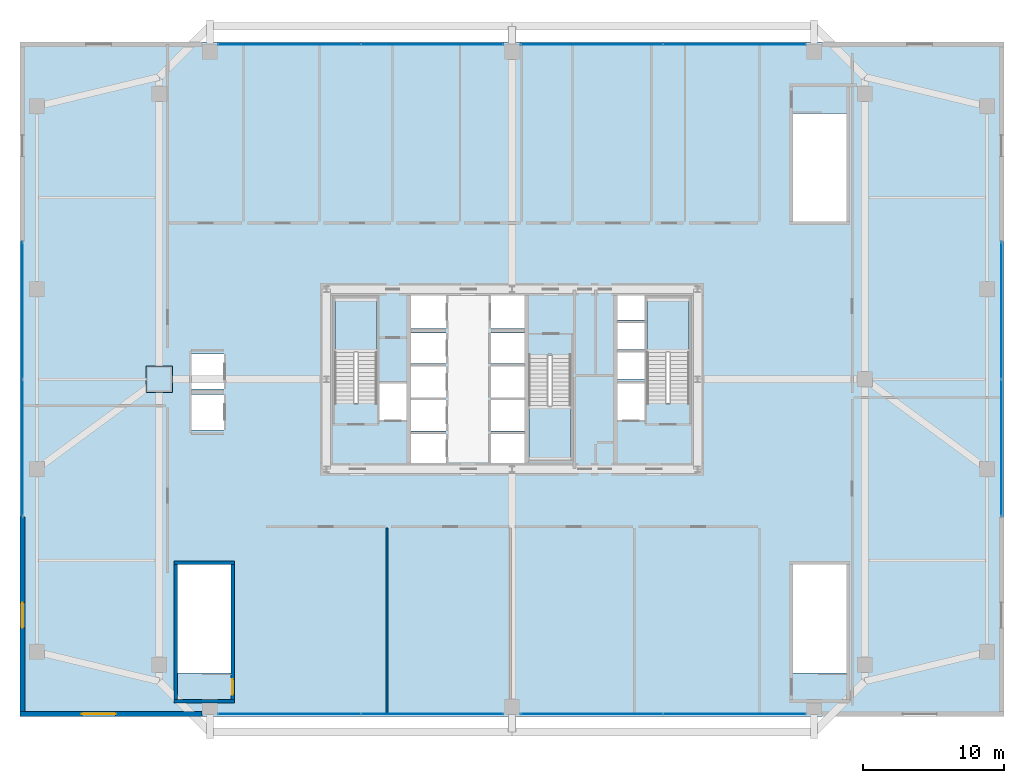
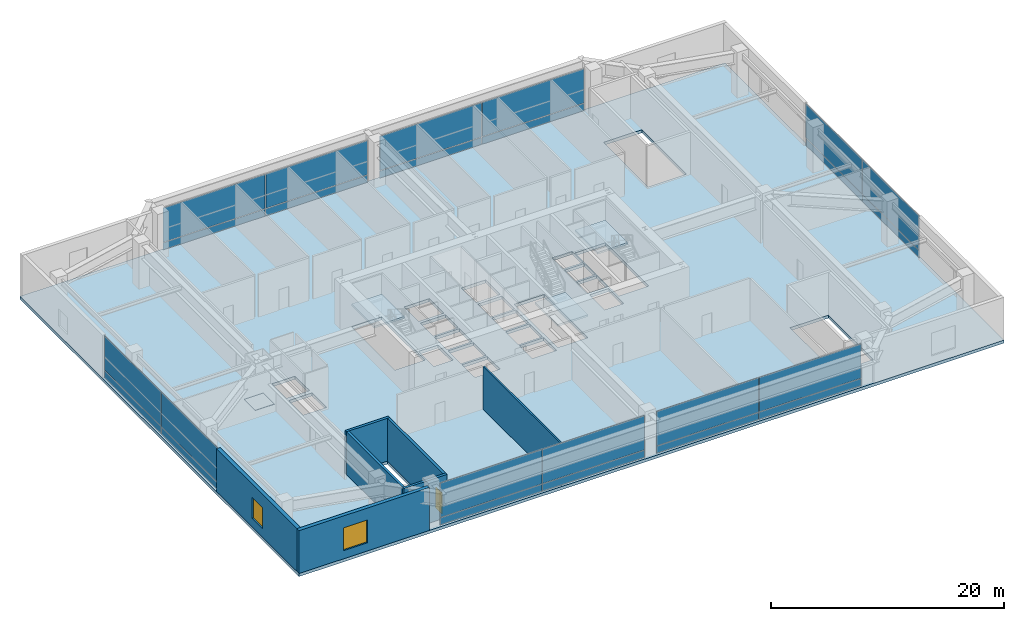
# One storey, part 28 of 34: 25 plates, 7 walls, 4 slabs, 2 windows, 1 door, 3 openings, 9 elements without a shape of their own.
"""IFC4 building model written with IfcOpenShell, lengths in metres."""

from ifc_helpers import new_model, si_unit, direction, frame, frame_2d, origin, origin_2d, place, context, subcontext, project, spatial, polyline, rectangle, outline, extrude, source, transform, mapped, material, layer, layer_set, type_object, element, fill, aggregate, save


model = new_model("IFC4")

# Units and contexts
model_context = context("Model", 3, precision=1e-05, world=origin(), true_north=direction((0.0, 1.0)))
body_context = subcontext(model_context, "Body", "Model", "MODEL_VIEW")
ifc_project = project(units=[si_unit("LENGTHUNIT", "METRE"), si_unit("AREAUNIT", "SQUARE_METRE"), si_unit("VOLUMEUNIT", "CUBIC_METRE"), si_unit("PLANEANGLEUNIT", "RADIAN"), si_unit("MASSUNIT", "GRAM", prefix="KILO"), si_unit("THERMODYNAMICTEMPERATUREUNIT", "KELVIN"), si_unit("POWERUNIT", "WATT")], contexts=[model_context])

# Site, building, storey
site_placement = place(None, origin())
site = spatial("IfcSite", under=ifc_project, at=site_placement, CompositionType="ELEMENT")
building_placement = place(site_placement, origin())
building = spatial("IfcBuilding", under=site, at=building_placement, Name="Yuzanri Waterfront Tower", CompositionType="ELEMENT")
storey_placement = place(building_placement, frame((0.0, 0.0, 25.800048828125)))
storey = spatial("IfcBuildingStorey", under=building, at=storey_placement, Name="L06", CompositionType="ELEMENT", Elevation=25.800048828125)

# Stair, slab
ifc_material_1 = material(Name="Concrete C40", Category="concrete")
stair_type = type_object("IfcStairType", Name="Concrete C40 Core Dogleg Exit Stair", PredefinedType="HALF_TURN_STAIR", material=ifc_material_1)
stair_1_placement = place(storey_placement, origin())
stair_1 = element("IfcStair", 1, at=stair_1_placement, inside=storey, type_object=stair_type, Name="L06 Smoke-Proof Core Stair ST-01", PredefinedType="HALF_TURN_STAIR")
ifc_material_2 = material(Name="Concrete C40", Category="concrete")
ifc_layer_1 = layer(ifc_material_2, 0.179931640625)
ifc_layer_set_1 = layer_set([ifc_layer_1], Name="Concrete C40")
slab_type_1 = type_object("IfcSlabType", Name="Concrete C40 Stair Half-Landing Slab 180", PredefinedType="LANDING", material=ifc_layer_set_1)
slab_1_placement = place(storey_placement, frame((0.0, 0.0, 2.199951171875)))
slab_1 = element("IfcSlab", 2, at=slab_1_placement, type_object=slab_type_1, Name="ST-01 landing 1", PredefinedType="LANDING", context=body_context, shape_type="SweptSolid", body=[
    extrude(outline(polyline([(27.39990234375, 27.679931640625), (27.39990234375, 31.580078125), (24.39990234375, 31.580078125), (24.39990234375, 27.679931640625), (27.39990234375, 27.679931640625)])), origin(), (0.0, 0.0, 1.0), 0.199951171875),
])
aggregate(stair_1, [slab_1])

stair_2_placement = place(storey_placement, origin())
stair_2 = element("IfcStair", 3, at=stair_2_placement, inside=storey, type_object=stair_type, Name="L06 Smoke-Proof Core Stair ST-02", PredefinedType="HALF_TURN_STAIR")
slab_2_placement = place(storey_placement, frame((0.0, 0.0, 2.199951171875)))
slab_2 = element("IfcSlab", 4, at=slab_2_placement, type_object=slab_type_1, Name="ST-02 landing 1", PredefinedType="LANDING", context=body_context, shape_type="SweptSolid", body=[
    extrude(outline(polyline([(49.60009765625, 27.679931640625), (49.60009765625, 31.580078125), (46.60009765625, 31.580078125), (46.60009765625, 27.679931640625), (49.60009765625, 27.679931640625)])), origin(), (0.0, 0.0, 1.0), 0.199951171875),
])
aggregate(stair_2, [slab_2])

stair_3_placement = place(storey_placement, origin())
stair_3 = element("IfcStair", 5, at=stair_3_placement, inside=storey, type_object=stair_type, Name="L06 Smoke-Proof Core Stair ST-03", PredefinedType="HALF_TURN_STAIR")
slab_3_placement = place(storey_placement, frame((0.0, 0.0, 2.199951171875)))
slab_3 = element("IfcSlab", 6, at=slab_3_placement, type_object=slab_type_1, Name="ST-03 landing 1", PredefinedType="LANDING", context=body_context, shape_type="SweptSolid", body=[
    extrude(outline(polyline([(38.199951171875, 23.919921875), (38.199951171875, 20.02001953125), (41.199951171875, 20.02001953125), (41.199951171875, 23.919921875), (38.199951171875, 23.919921875)])), origin(), (0.0, 0.0, 1.0), 0.199951171875),
])
aggregate(stair_3, [slab_3])

# Slab
ifc_material_3 = material(Name="Concrete C45", Category="concrete")
ifc_layer_2 = layer(ifc_material_3, 0.320068359375)
ifc_layer_set_2 = layer_set([ifc_layer_2], Name="Concrete C45")
slab_type_2 = type_object("IfcSlabType", Name="Concrete C45 Ballroom Transfer Structural Floor Slab 320", PredefinedType="FLOOR", material=ifc_layer_set_2)
slab_4_placement = place(storey_placement, frame((0.0, 0.0, -0.320068359375)))
element("IfcSlab", 7, at=slab_4_placement, inside=storey, type_object=slab_type_2, Name="L06 Main Structural Floor Slab", PredefinedType="FLOOR", context=body_context, shape_type="SweptSolid", body=[
    extrude(outline(polyline([(2.0, 1.800048828125), (72.0, 1.800048828125), (72.0, 49.800048828125), (2.0, 49.800048828125), (2.0, 1.800048828125)]), holes=[polyline([(27.39990234375, 24.10009765625), (27.39990234375, 31.580078125), (24.39990234375, 31.580078125), (24.39990234375, 24.10009765625), (27.39990234375, 24.10009765625)]), polyline([(49.60009765625, 24.10009765625), (49.60009765625, 31.580078125), (46.60009765625, 31.580078125), (46.60009765625, 24.10009765625), (49.60009765625, 24.10009765625)]), polyline([(38.199951171875, 27.5), (38.199951171875, 20.02001953125), (41.199951171875, 20.02001953125), (41.199951171875, 27.5), (38.199951171875, 27.5)]), polyline([(17.0, 4.909912109375), (17.0, 12.60009765625), (13.199951171875, 12.60009765625), (13.199951171875, 4.909912109375), (17.0, 4.909912109375)]), polyline([(60.800048828125, 4.909912109375), (60.800048828125, 12.60009765625), (57.0, 12.60009765625), (57.0, 4.909912109375), (60.800048828125, 4.909912109375)]), polyline([(57.0, 44.68994140625), (57.0, 37.0), (60.800048828125, 37.0), (60.800048828125, 44.68994140625), (57.0, 44.68994140625)]), polyline([(27.56005859375, 22.89990234375), (29.47998046875, 22.89990234375), (29.47998046875, 25.5), (27.56005859375, 25.5), (27.56005859375, 22.89990234375)]), polyline([(44.52001953125, 22.89990234375), (46.43994140625, 22.89990234375), (46.43994140625, 25.5), (44.52001953125, 25.5), (44.52001953125, 22.89990234375)]), polyline([(29.800048828125, 19.699951171875), (32.300048828125, 19.699951171875), (32.300048828125, 21.89990234375), (29.800048828125, 21.89990234375), (29.800048828125, 19.699951171875)]), polyline([(29.800048828125, 22.10009765625), (32.300048828125, 22.10009765625), (32.300048828125, 24.300048828125), (29.800048828125, 24.300048828125), (29.800048828125, 22.10009765625)]), polyline([(29.800048828125, 24.5), (32.300048828125, 24.5), (32.300048828125, 26.699951171875), (29.800048828125, 26.699951171875), (29.800048828125, 24.5)]), polyline([(29.800048828125, 26.89990234375), (32.300048828125, 26.89990234375), (32.300048828125, 29.10009765625), (29.800048828125, 29.10009765625), (29.800048828125, 26.89990234375)]), polyline([(29.800048828125, 29.39990234375), (32.300048828125, 29.39990234375), (32.300048828125, 31.89990234375), (29.800048828125, 31.89990234375), (29.800048828125, 29.39990234375)]), polyline([(35.5, 19.699951171875), (37.89990234375, 19.699951171875), (37.89990234375, 21.89990234375), (35.5, 21.89990234375), (35.5, 19.699951171875)]), polyline([(35.5, 22.10009765625), (37.89990234375, 22.10009765625), (37.89990234375, 24.300048828125), (35.5, 24.300048828125), (35.5, 22.10009765625)]), polyline([(35.5, 24.5), (37.89990234375, 24.5), (37.89990234375, 26.699951171875), (35.5, 26.699951171875), (35.5, 24.5)]), polyline([(35.5, 26.89990234375), (37.89990234375, 26.89990234375), (37.89990234375, 29.10009765625), (35.5, 29.10009765625), (35.5, 26.89990234375)]), polyline([(35.5, 29.39990234375), (37.89990234375, 29.39990234375), (37.89990234375, 31.89990234375), (35.5, 31.89990234375), (35.5, 29.39990234375)]), polyline([(44.5, 25.800048828125), (46.5, 25.800048828125), (46.5, 27.699951171875), (44.5, 27.699951171875), (44.5, 25.800048828125)]), polyline([(44.5, 27.89990234375), (46.5, 27.89990234375), (46.5, 29.800048828125), (44.5, 29.800048828125), (44.5, 27.89990234375)]), polyline([(44.5, 30.0), (46.5, 30.0), (46.5, 31.89990234375), (44.5, 31.89990234375), (44.5, 30.0)]), polyline([(14.199951171875, 22.199951171875), (16.5, 22.199951171875), (16.5, 24.699951171875), (14.199951171875, 24.699951171875), (14.199951171875, 22.199951171875)]), polyline([(14.199951171875, 25.10009765625), (16.5, 25.10009765625), (16.5, 27.60009765625), (14.199951171875, 27.60009765625), (14.199951171875, 25.10009765625)])]), origin(), (0.0, 0.0, 1.0), 0.320068359375),
])

# Plate
ifc_material_4 = material(Name="Steel Q420GJC", Category="steel")
ifc_layer_3 = layer(ifc_material_4, 0.044921875)
ifc_layer_set_3 = layer_set([ifc_layer_3], Name="Steel Q420GJC")
plate_type_1 = type_object("IfcPlateType", Name="Steel Q420GJC Setback Column-Transfer Diaphragm Cap Plate 45", PredefinedType="SHEET", material=ifc_layer_set_3)
shared_shape_1 = source(origin(), body_context, "Body", "SweptSolid", [
    extrude(rectangle(XDim=1.89990234375, YDim=1.89990234375, at=origin_2d()), origin(), (0.0, 0.0, 1.0), 0.044921875),
])
plate_1_placement = place(storey_placement, frame((11.89990234375, 25.800048828125, -0.0224609375), z_axis=(0.0, 0.0, 1.0), x_axis=(1.0, 0.0, 0.0)))
element("IfcPlate", 8, at=plate_1_placement, inside=storey, type_object=plate_type_1, Name="L06 PTW2 Base Diaphragm Plate", PredefinedType="SHEET", context=body_context, shape_type="MappedRepresentation", body=[
    mapped(shared_shape_1, transform((0.0, 0.0, 0.0), scale=1.0)),
])

# Curtain wall, plates
ifc_material_5 = material(Name="Anodized Architectural Bronze", Category="metal")
ifc_layer_4 = layer(ifc_material_5, 0.159912109375)
ifc_layer_set_4 = layer_set([ifc_layer_4], Name="Anodized Architectural Bronze")
curtain_wall_type = type_object("IfcCurtainWallType", Name="Anodized Bronze Podium Waterfront Double-Height Unitized Curtain Wall 8400", PredefinedType="NOTDEFINED", material=ifc_layer_set_4)
curtain_wall_1_placement = place(storey_placement, origin())
curtain_wall_1 = element("IfcCurtainWall", 9, at=curtain_wall_1_placement, inside=storey, type_object=curtain_wall_type, Name="L06 Curtain Wall CW-L06-W", PredefinedType="NOTDEFINED")
ifc_material_6 = material(Name="Anodized Architectural Bronze", Category="metal")
ifc_layer_5 = layer(ifc_material_6, 0.028076171875)
ifc_layer_set_5 = layer_set([ifc_layer_5], Name="Anodized Architectural Bronze")
plate_type_2 = type_object("IfcPlateType", Name="Bronze Insulated Spandrel Shadow-Box Panel 28", PredefinedType="CURTAIN_PANEL", material=ifc_layer_set_5)
shared_shape_2 = source(origin(), body_context, "Body", "SweptSolid", [
    extrude(rectangle(XDim=9.719970703125, YDim=0.028076171875, at=origin_2d()), origin(), (0.0, 0.0, 1.0), 0.739990234375),
])
plate_2_placement = place(storey_placement, frame((2.179931640625, 20.89990234375, 0.0498046875), z_axis=(0.0, 0.0, 1.0), x_axis=(0.0, 1.0, 0.0)))
plate_2 = element("IfcPlate", 10, at=plate_2_placement, type_object=plate_type_2, Name="CW-L06-W Spandrel Panel 01", PredefinedType="CURTAIN_PANEL", context=body_context, shape_type="MappedRepresentation", body=[
    mapped(shared_shape_2, transform((0.0, 0.0, 0.0), scale=1.0)),
])
plate_3_placement = place(storey_placement, frame((2.179931640625, 30.699951171875, 0.0498046875), z_axis=(0.0, 0.0, 1.0), x_axis=(0.0, 1.0, 0.0)))
plate_3 = element("IfcPlate", 11, at=plate_3_placement, type_object=plate_type_2, Name="CW-L06-W Spandrel Panel 02", PredefinedType="CURTAIN_PANEL", context=body_context, shape_type="MappedRepresentation", body=[
    mapped(shared_shape_2, transform((0.0, 0.0, 0.0), scale=1.0)),
])

curtain_wall_2_placement = place(storey_placement, origin())
curtain_wall_2 = element("IfcCurtainWall", 12, at=curtain_wall_2_placement, inside=storey, type_object=curtain_wall_type, Name="L06 Curtain Wall CW-L06-E", PredefinedType="NOTDEFINED")
plate_4_placement = place(storey_placement, frame((71.820068359375, 20.89990234375, 0.0498046875), z_axis=(0.0, 0.0, 1.0), x_axis=(0.0, 1.0, 0.0)))
plate_4 = element("IfcPlate", 13, at=plate_4_placement, type_object=plate_type_2, Name="CW-L06-E Spandrel Panel 01", PredefinedType="CURTAIN_PANEL", context=body_context, shape_type="MappedRepresentation", body=[
    mapped(shared_shape_2, transform((0.0, 0.0, 0.0), scale=1.0)),
])
plate_5_placement = place(storey_placement, frame((71.820068359375, 30.699951171875, 0.0498046875), z_axis=(0.0, 0.0, 1.0), x_axis=(0.0, 1.0, 0.0)))
plate_5 = element("IfcPlate", 14, at=plate_5_placement, type_object=plate_type_2, Name="CW-L06-E Spandrel Panel 02", PredefinedType="CURTAIN_PANEL", context=body_context, shape_type="MappedRepresentation", body=[
    mapped(shared_shape_2, transform((0.0, 0.0, 0.0), scale=1.0)),
])

curtain_wall_3_placement = place(storey_placement, origin())
curtain_wall_3 = element("IfcCurtainWall", 15, at=curtain_wall_3_placement, inside=storey, type_object=curtain_wall_type, Name="L06 Curtain Wall CW-L06-S1", PredefinedType="NOTDEFINED")
shared_shape_3 = source(origin(), body_context, "Body", "SweptSolid", [
    extrude(rectangle(XDim=10.10009765625, YDim=0.028076171875, at=origin_2d()), origin(), (0.0, 0.0, 1.0), 0.739990234375),
])
plate_6_placement = place(storey_placement, frame((21.159912109375, 1.97998046875, 0.0498046875), z_axis=(0.0, 0.0, 1.0), x_axis=(1.0, 0.0, 0.0)))
plate_6 = element("IfcPlate", 16, at=plate_6_placement, type_object=plate_type_2, Name="CW-L06-S1 Spandrel Panel 01", PredefinedType="CURTAIN_PANEL", context=body_context, shape_type="MappedRepresentation", body=[
    mapped(shared_shape_3, transform((0.0, 0.0, 0.0), scale=1.0)),
])
plate_7_placement = place(storey_placement, frame((31.340087890625, 1.97998046875, 0.0498046875), z_axis=(0.0, 0.0, 1.0), x_axis=(1.0, 0.0, 0.0)))
plate_7 = element("IfcPlate", 17, at=plate_7_placement, type_object=plate_type_2, Name="CW-L06-S1 Spandrel Panel 02", PredefinedType="CURTAIN_PANEL", context=body_context, shape_type="MappedRepresentation", body=[
    mapped(shared_shape_3, transform((0.0, 0.0, 0.0), scale=1.0)),
])

curtain_wall_4_placement = place(storey_placement, origin())
curtain_wall_4 = element("IfcCurtainWall", 18, at=curtain_wall_4_placement, inside=storey, type_object=curtain_wall_type, Name="L06 Curtain Wall CW-L06-S2", PredefinedType="NOTDEFINED")
plate_8_placement = place(storey_placement, frame((42.659912109375, 1.97998046875, 0.0498046875), z_axis=(0.0, 0.0, 1.0), x_axis=(1.0, 0.0, 0.0)))
plate_8 = element("IfcPlate", 19, at=plate_8_placement, type_object=plate_type_2, Name="CW-L06-S2 Spandrel Panel 01", PredefinedType="CURTAIN_PANEL", context=body_context, shape_type="MappedRepresentation", body=[
    mapped(shared_shape_3, transform((0.0, 0.0, 0.0), scale=1.0)),
])
plate_9_placement = place(storey_placement, frame((52.840087890625, 1.97998046875, 0.0498046875), z_axis=(0.0, 0.0, 1.0), x_axis=(1.0, 0.0, 0.0)))
plate_9 = element("IfcPlate", 20, at=plate_9_placement, type_object=plate_type_2, Name="CW-L06-S2 Spandrel Panel 02", PredefinedType="CURTAIN_PANEL", context=body_context, shape_type="MappedRepresentation", body=[
    mapped(shared_shape_3, transform((0.0, 0.0, 0.0), scale=1.0)),
])

curtain_wall_5_placement = place(storey_placement, origin())
curtain_wall_5 = element("IfcCurtainWall", 21, at=curtain_wall_5_placement, inside=storey, type_object=curtain_wall_type, Name="L06 Curtain Wall CW-L06-N1", PredefinedType="NOTDEFINED")
plate_10_placement = place(storey_placement, frame((21.159912109375, 49.6201171875, 0.0498046875), z_axis=(0.0, 0.0, 1.0), x_axis=(1.0, 0.0, 0.0)))
plate_10 = element("IfcPlate", 22, at=plate_10_placement, type_object=plate_type_2, Name="CW-L06-N1 Spandrel Panel 01", PredefinedType="CURTAIN_PANEL", context=body_context, shape_type="MappedRepresentation", body=[
    mapped(shared_shape_3, transform((0.0, 0.0, 0.0), scale=1.0)),
])
plate_11_placement = place(storey_placement, frame((31.340087890625, 49.6201171875, 0.0498046875), z_axis=(0.0, 0.0, 1.0), x_axis=(1.0, 0.0, 0.0)))
plate_11 = element("IfcPlate", 23, at=plate_11_placement, type_object=plate_type_2, Name="CW-L06-N1 Spandrel Panel 02", PredefinedType="CURTAIN_PANEL", context=body_context, shape_type="MappedRepresentation", body=[
    mapped(shared_shape_3, transform((0.0, 0.0, 0.0), scale=1.0)),
])

curtain_wall_6_placement = place(storey_placement, origin())
curtain_wall_6 = element("IfcCurtainWall", 24, at=curtain_wall_6_placement, inside=storey, type_object=curtain_wall_type, Name="L06 Curtain Wall CW-L06-N2", PredefinedType="NOTDEFINED")
plate_12_placement = place(storey_placement, frame((42.659912109375, 49.6201171875, 0.0498046875), z_axis=(0.0, 0.0, 1.0), x_axis=(1.0, 0.0, 0.0)))
plate_12 = element("IfcPlate", 25, at=plate_12_placement, type_object=plate_type_2, Name="CW-L06-N2 Spandrel Panel 01", PredefinedType="CURTAIN_PANEL", context=body_context, shape_type="MappedRepresentation", body=[
    mapped(shared_shape_3, transform((0.0, 0.0, 0.0), scale=1.0)),
])
plate_13_placement = place(storey_placement, frame((52.840087890625, 49.6201171875, 0.0498046875), z_axis=(0.0, 0.0, 1.0), x_axis=(1.0, 0.0, 0.0)))
plate_13 = element("IfcPlate", 26, at=plate_13_placement, type_object=plate_type_2, Name="CW-L06-N2 Spandrel Panel 02", PredefinedType="CURTAIN_PANEL", context=body_context, shape_type="MappedRepresentation", body=[
    mapped(shared_shape_3, transform((0.0, 0.0, 0.0), scale=1.0)),
])

# Plate
ifc_material_7 = material(Name="Double-Silver Low-E Insulated Glass", Category="glass")
ifc_layer_6 = layer(ifc_material_7, 0.035888671875)
ifc_layer_set_6 = layer_set([ifc_layer_6], Name="Double-Silver Low-E Insulated Glass")
plate_type_3 = type_object("IfcPlateType", Name="Double Silver Low-E Insulated Vision Glass Panel 36", PredefinedType="CURTAIN_PANEL", material=ifc_layer_set_6)
shared_shape_4 = source(origin(), body_context, "Body", "SweptSolid", [
    extrude(rectangle(XDim=10.10009765625, YDim=0.035888671875, at=origin_2d()), origin(), (0.0, 0.0, 1.0), 3.60009765625),
])
plate_14_placement = place(storey_placement, frame((21.159912109375, 1.97998046875, 0.849853515625), z_axis=(0.0, 0.0, 1.0), x_axis=(1.0, 0.0, 0.0)))
plate_14 = element("IfcPlate", 27, at=plate_14_placement, type_object=plate_type_3, Name="CW-L06-S1 Vision Glass Panel 01", PredefinedType="CURTAIN_PANEL", context=body_context, shape_type="MappedRepresentation", body=[
    mapped(shared_shape_4, transform((0.0, 0.0, 0.0), scale=1.0)),
])

plate_15_placement = place(storey_placement, frame((31.340087890625, 1.97998046875, 0.849853515625), z_axis=(0.0, 0.0, 1.0), x_axis=(1.0, 0.0, 0.0)))
plate_15 = element("IfcPlate", 28, at=plate_15_placement, type_object=plate_type_3, Name="CW-L06-S1 Vision Glass Panel 02", PredefinedType="CURTAIN_PANEL", context=body_context, shape_type="MappedRepresentation", body=[
    mapped(shared_shape_4, transform((0.0, 0.0, 0.0), scale=1.0)),
])

aggregate(curtain_wall_3, [plate_6, plate_14, plate_7, plate_15])

plate_16_placement = place(storey_placement, frame((42.659912109375, 1.97998046875, 0.849853515625), z_axis=(0.0, 0.0, 1.0), x_axis=(1.0, 0.0, 0.0)))
plate_16 = element("IfcPlate", 29, at=plate_16_placement, type_object=plate_type_3, Name="CW-L06-S2 Vision Glass Panel 01", PredefinedType="CURTAIN_PANEL", context=body_context, shape_type="MappedRepresentation", body=[
    mapped(shared_shape_4, transform((0.0, 0.0, 0.0), scale=1.0)),
])

plate_17_placement = place(storey_placement, frame((52.840087890625, 1.97998046875, 0.849853515625), z_axis=(0.0, 0.0, 1.0), x_axis=(1.0, 0.0, 0.0)))
plate_17 = element("IfcPlate", 30, at=plate_17_placement, type_object=plate_type_3, Name="CW-L06-S2 Vision Glass Panel 02", PredefinedType="CURTAIN_PANEL", context=body_context, shape_type="MappedRepresentation", body=[
    mapped(shared_shape_4, transform((0.0, 0.0, 0.0), scale=1.0)),
])

aggregate(curtain_wall_4, [plate_8, plate_16, plate_9, plate_17])

plate_18_placement = place(storey_placement, frame((21.159912109375, 49.6201171875, 0.849853515625), z_axis=(0.0, 0.0, 1.0), x_axis=(1.0, 0.0, 0.0)))
plate_18 = element("IfcPlate", 31, at=plate_18_placement, type_object=plate_type_3, Name="CW-L06-N1 Vision Glass Panel 01", PredefinedType="CURTAIN_PANEL", context=body_context, shape_type="MappedRepresentation", body=[
    mapped(shared_shape_4, transform((0.0, 0.0, 0.0), scale=1.0)),
])

plate_19_placement = place(storey_placement, frame((31.340087890625, 49.6201171875, 0.849853515625), z_axis=(0.0, 0.0, 1.0), x_axis=(1.0, 0.0, 0.0)))
plate_19 = element("IfcPlate", 32, at=plate_19_placement, type_object=plate_type_3, Name="CW-L06-N1 Vision Glass Panel 02", PredefinedType="CURTAIN_PANEL", context=body_context, shape_type="MappedRepresentation", body=[
    mapped(shared_shape_4, transform((0.0, 0.0, 0.0), scale=1.0)),
])

aggregate(curtain_wall_5, [plate_10, plate_18, plate_11, plate_19])

plate_20_placement = place(storey_placement, frame((42.659912109375, 49.6201171875, 0.849853515625), z_axis=(0.0, 0.0, 1.0), x_axis=(1.0, 0.0, 0.0)))
plate_20 = element("IfcPlate", 33, at=plate_20_placement, type_object=plate_type_3, Name="CW-L06-N2 Vision Glass Panel 01", PredefinedType="CURTAIN_PANEL", context=body_context, shape_type="MappedRepresentation", body=[
    mapped(shared_shape_4, transform((0.0, 0.0, 0.0), scale=1.0)),
])

plate_21_placement = place(storey_placement, frame((52.840087890625, 49.6201171875, 0.849853515625), z_axis=(0.0, 0.0, 1.0), x_axis=(1.0, 0.0, 0.0)))
plate_21 = element("IfcPlate", 34, at=plate_21_placement, type_object=plate_type_3, Name="CW-L06-N2 Vision Glass Panel 02", PredefinedType="CURTAIN_PANEL", context=body_context, shape_type="MappedRepresentation", body=[
    mapped(shared_shape_4, transform((0.0, 0.0, 0.0), scale=1.0)),
])

aggregate(curtain_wall_6, [plate_12, plate_20, plate_13, plate_21])

shared_shape_5 = source(origin(), body_context, "Body", "SweptSolid", [
    extrude(rectangle(XDim=9.719970703125, YDim=0.035888671875, at=origin_2d()), origin(), (0.0, 0.0, 1.0), 3.60009765625),
])
plate_22_placement = place(storey_placement, frame((2.179931640625, 20.89990234375, 0.849853515625), z_axis=(0.0, 0.0, 1.0), x_axis=(0.0, 1.0, 0.0)))
plate_22 = element("IfcPlate", 35, at=plate_22_placement, type_object=plate_type_3, Name="CW-L06-W Vision Glass Panel 01", PredefinedType="CURTAIN_PANEL", context=body_context, shape_type="MappedRepresentation", body=[
    mapped(shared_shape_5, transform((0.0, 0.0, 0.0), scale=1.0)),
])

plate_23_placement = place(storey_placement, frame((2.179931640625, 30.699951171875, 0.849853515625), z_axis=(0.0, 0.0, 1.0), x_axis=(0.0, 1.0, 0.0)))
plate_23 = element("IfcPlate", 36, at=plate_23_placement, type_object=plate_type_3, Name="CW-L06-W Vision Glass Panel 02", PredefinedType="CURTAIN_PANEL", context=body_context, shape_type="MappedRepresentation", body=[
    mapped(shared_shape_5, transform((0.0, 0.0, 0.0), scale=1.0)),
])

aggregate(curtain_wall_1, [plate_2, plate_22, plate_3, plate_23])

plate_24_placement = place(storey_placement, frame((71.820068359375, 20.89990234375, 0.849853515625), z_axis=(0.0, 0.0, 1.0), x_axis=(0.0, 1.0, 0.0)))
plate_24 = element("IfcPlate", 37, at=plate_24_placement, type_object=plate_type_3, Name="CW-L06-E Vision Glass Panel 01", PredefinedType="CURTAIN_PANEL", context=body_context, shape_type="MappedRepresentation", body=[
    mapped(shared_shape_5, transform((0.0, 0.0, 0.0), scale=1.0)),
])

plate_25_placement = place(storey_placement, frame((71.820068359375, 30.699951171875, 0.849853515625), z_axis=(0.0, 0.0, 1.0), x_axis=(0.0, 1.0, 0.0)))
plate_25 = element("IfcPlate", 38, at=plate_25_placement, type_object=plate_type_3, Name="CW-L06-E Vision Glass Panel 02", PredefinedType="CURTAIN_PANEL", context=body_context, shape_type="MappedRepresentation", body=[
    mapped(shared_shape_5, transform((0.0, 0.0, 0.0), scale=1.0)),
])

aggregate(curtain_wall_2, [plate_4, plate_24, plate_5, plate_25])

# Wall, opening, window
ifc_material_8 = material(Name="Honed Chongqing Dark Basalt Stone", Category="masonry")
ifc_layer_7 = layer(ifc_material_8, 0.360107421875)
ifc_layer_set_7 = layer_set([ifc_layer_7], Name="Honed Chongqing Dark Basalt Stone")
wall_type_1 = type_object("IfcWallType", Name="Honed Basalt Stone Masonry-Frame Spandrel Wall 360", PredefinedType="SOLIDWALL", material=ifc_layer_set_7)
wall_1_placement = place(storey_placement, frame((2.0, 1.97998046875, 0.0), z_axis=(0.0, 0.0, 1.0), x_axis=(1.0, 0.0, 0.0)))
wall_1 = element("IfcWall", 39, at=wall_1_placement, inside=storey, type_object=wall_type_1, Name="L06 South-West Basalt Pier", PredefinedType="SOLIDWALL", context=body_context, shape_type="SweptSolid", body=[
    extrude(rectangle(XDim=12.929931640625, YDim=0.360107421875, at=frame_2d((6.46484375, 0.0))), origin(), (0.0, 0.0, 1.0), 4.5),
])
opening_1_placement = place(wall_1_placement, frame((4.39990234375, 0.0, 0.85009765625)))
opening_1 = element("IfcOpeningElement", 40, at=opening_1_placement, cuts=wall_1, Name="Opening WN-03", PredefinedType="OPENING", context=body_context, shape_type="SweptSolid", body=[
    extrude(rectangle(XDim=2.39990234375, YDim=2.39990234375, at=frame_2d((1.199951171875, 1.199951171875))), frame((0.0, 0.19482421875, 0.0), z_axis=(0.0, -1.0, 0.0), x_axis=(1.0, 0.0, 0.0)), (0.0, 0.0, 1.0), 0.389892578125),
])
ifc_material_9 = material(Name="Double-Silver Low-E Insulated Glass", Category="glass")
window_type_1 = type_object("IfcWindowType", Name="Anodized Bronze Podium Waterfront Picture Window 2400x2400", PartitioningType="SINGLE_PANEL", PredefinedType="WINDOW", material=ifc_material_9)
shared_shape_6 = source(origin(), body_context, "Body", "SweptSolid", [
    extrude(rectangle(XDim=2.39990234375, YDim=2.39990234375, at=frame_2d((1.199951171875, 1.199951171875))), frame((0.0, 0.030029296875, 0.0), z_axis=(0.0, -1.0, 0.0), x_axis=(1.0, 0.0, 0.0)), (0.0, 0.0, 1.0), 0.06005859375),
])
window_1_placement = place(opening_1_placement, origin())
window_1 = element("IfcWindow", 41, at=window_1_placement, inside=storey, type_object=window_type_1, Name="L06 SW Waterfront Window", OverallHeight=2.39990234375, OverallWidth=2.39990234375, PartitioningType="SINGLE_PANEL", PredefinedType="WINDOW", context=body_context, shape_type="MappedRepresentation", body=[
    mapped(shared_shape_6, transform((0.0, 0.0, 0.0), scale=1.0)),
])
fill(opening_1, window_1)

wall_2_placement = place(storey_placement, frame((2.179931640625, 2.159912109375, 0.0), z_axis=(0.0, 0.0, 1.0), x_axis=(0.0, 1.0, 0.0)))
wall_2 = element("IfcWall", 42, at=wall_2_placement, inside=storey, type_object=wall_type_1, Name="L06 W South Basalt Pier", PredefinedType="SOLIDWALL", context=body_context, shape_type="SweptSolid", body=[
    extrude(rectangle(XDim=13.840087890625, YDim=0.360107421875, at=frame_2d((6.919921875, 0.0))), origin(), (0.0, 0.0, 1.0), 4.5),
])
opening_2_placement = place(wall_2_placement, frame((5.93994140625, 0.0, 0.89990234375)))
opening_2 = element("IfcOpeningElement", 43, at=opening_2_placement, cuts=wall_2, Name="Opening WN-01", PredefinedType="OPENING", context=body_context, shape_type="SweptSolid", body=[
    extrude(rectangle(XDim=1.800048828125, YDim=2.199951171875, at=frame_2d((0.89990234375, 1.10009765625))), frame((0.0, 0.19482421875, 0.0), z_axis=(0.0, -1.0, 0.0), x_axis=(1.0, 0.0, 0.0)), (0.0, 0.0, 1.0), 0.389892578125),
])
ifc_material_10 = material(Name="Double-Silver Low-E Insulated Glass", Category="glass")
window_type_2 = type_object("IfcWindowType", Name="Anodized Bronze Recessed Bronze Frame Double Casement Window 1800x2200", PartitioningType="SINGLE_PANEL", PredefinedType="WINDOW", material=ifc_material_10)
shared_shape_7 = source(origin(), body_context, "Body", "SweptSolid", [
    extrude(rectangle(XDim=1.800048828125, YDim=2.199951171875, at=frame_2d((0.89990234375, 1.10009765625))), frame((0.0, 0.030029296875, 0.0), z_axis=(0.0, -1.0, 0.0), x_axis=(1.0, 0.0, 0.0)), (0.0, 0.0, 1.0), 0.06005859375),
])
window_2_placement = place(opening_2_placement, origin())
window_2 = element("IfcWindow", 44, at=window_2_placement, inside=storey, type_object=window_type_2, Name="L06 WS Window", OverallHeight=2.199951171875, OverallWidth=1.800048828125, PartitioningType="SINGLE_PANEL", PredefinedType="WINDOW", context=body_context, shape_type="MappedRepresentation", body=[
    mapped(shared_shape_7, transform((0.0, 0.0, 0.0), scale=1.0)),
])
fill(opening_2, window_2)

# Wall, opening, door
ifc_material_11 = material(Name="Concrete C40", Category="concrete")
ifc_layer_8 = layer(ifc_material_11, 0.25)
ifc_layer_set_8 = layer_set([ifc_layer_8], Name="Concrete C40")
wall_type_2 = type_object("IfcWallType", Name="Smoke-Proof Stair and Lift Shaft Wall 250", PredefinedType="SOLIDWALL", material=ifc_layer_set_8)
wall_3_placement = place(storey_placement, frame((17.125, 3.0, 0.0), z_axis=(0.0, 0.0, 1.0), x_axis=(0.0, 1.0, 0.0)))
wall_3 = element("IfcWall", 45, at=wall_3_placement, inside=storey, type_object=wall_type_2, Name="L06 Shaft Wall PSTW-L06-PST-01-E", PredefinedType="SOLIDWALL", context=body_context, shape_type="SweptSolid", body=[
    extrude(rectangle(XDim=9.60009765625, YDim=0.25, at=frame_2d((4.800048828125, 0.0))), origin(), (0.0, 0.0, 1.0), 4.5),
])
opening_3_placement = place(wall_3_placement, frame((0.35009765625, 0.0, 0.0)))
opening_3 = element("IfcOpeningElement", 46, at=opening_3_placement, cuts=wall_3, Name="Opening FD-1100", PredefinedType="OPENING", context=body_context, shape_type="SweptSolid", body=[
    extrude(rectangle(XDim=1.10009765625, YDim=2.199951171875, at=frame_2d((0.550048828125, 1.10009765625))), frame((0.0, 0.139892578125, 0.0), z_axis=(0.0, -1.0, 0.0), x_axis=(1.0, 0.0, 0.0)), (0.0, 0.0, 1.0), 0.27978515625),
])
ifc_material_12 = material(Name="Painted Galvanized Fire Steel", Category="steel")
door_type = type_object("IfcDoorType", Name="Smoke-Proof Stair and Lobby Fire Door 1100x2200", OperationType="NOTDEFINED", PredefinedType="DOOR", material=ifc_material_12)
shared_shape_8 = source(origin(), body_context, "Body", "SweptSolid", [
    extrude(rectangle(XDim=1.10009765625, YDim=2.199951171875, at=frame_2d((0.550048828125, 1.10009765625))), frame((0.0, 0.02490234375, 0.0), z_axis=(0.0, -1.0, 0.0), x_axis=(1.0, 0.0, 0.0)), (0.0, 0.0, 1.0), 0.050048828125),
])
door_placement = place(opening_3_placement, origin())
door = element("IfcDoor", 47, at=door_placement, inside=storey, type_object=door_type, Name="L06 PST-01 Stair Door", OperationType="SINGLE_SWING_LEFT", OverallHeight=2.199951171875, OverallWidth=1.10009765625, PredefinedType="DOOR", context=body_context, shape_type="MappedRepresentation", body=[
    mapped(shared_shape_8, transform((0.0, 0.0, 0.0), scale=1.0)),
])
fill(opening_3, door)

# Walls
shared_shape_9 = source(origin(), body_context, "Body", "SweptSolid", [
    extrude(rectangle(XDim=4.300048828125, YDim=0.25, at=frame_2d((2.14990234375, 0.0))), origin(), (0.0, 0.0, 1.0), 4.5),
])
for number, where, z_axis, x_axis, name in (
    (48, (12.949951171875, 2.875, 0.0), (0.0, 0.0, 1.0), (1.0, 0.0, 0.0), "L06 PST-01 South Wall"),
    (49, (12.949951171875, 12.72509765625, 0.0), (0.0, 0.0, 1.0), (1.0, 0.0, 0.0), "L06 PST-01 North Wall"),
):
    element("IfcWall", number, at=place(storey_placement, frame(where, z_axis=z_axis, x_axis=x_axis)), inside=storey, type_object=wall_type_2, Name=name, PredefinedType="SOLIDWALL", context=body_context, shape_type="MappedRepresentation", body=[
        mapped(shared_shape_9, transform((0.0, 0.0, 0.0), scale=1.0)),
    ])
shared_shape_10 = source(origin(), body_context, "Body", "SweptSolid", [
    extrude(rectangle(XDim=9.60009765625, YDim=0.25, at=frame_2d((4.800048828125, 0.0))), origin(), (0.0, 0.0, 1.0), 4.5),
])
wall_4_placement = place(storey_placement, frame((13.074951171875, 3.0, 0.0), z_axis=(0.0, 0.0, 1.0), x_axis=(0.0, 1.0, 0.0)))
element("IfcWall", 50, at=wall_4_placement, inside=storey, type_object=wall_type_2, Name="L06 Shaft Wall PSTW-L06-PST-01-W", PredefinedType="SOLIDWALL", context=body_context, shape_type="MappedRepresentation", body=[
    mapped(shared_shape_10, transform((0.0, 0.0, 0.0), scale=1.0)),
])
ifc_material_13 = material(Name="Gypsum Fireboard Acoustic Stud Wall", Category="gypsum")
ifc_layer_9 = layer(ifc_material_13, 0.159912109375)
ifc_layer_set_9 = layer_set([ifc_layer_9], Name="Gypsum Fireboard Acoustic Stud Wall")
wall_type_3 = type_object("IfcWallType", Name="Acoustic Suite Demising Partition 160", PredefinedType="PARTITIONING", material=ifc_layer_set_9)
shared_shape_11 = source(origin(), body_context, "Body", "SweptSolid", [
    extrude(rectangle(XDim=13.219970703125, YDim=0.159912109375, at=frame_2d((6.60986328125, 0.0))), origin(), (0.0, 0.0, 1.0), 4.5),
])
wall_5_placement = place(storey_placement, frame((28.10009765625, 1.97998046875, 0.0), z_axis=(0.0, 0.0, 1.0), x_axis=(0.0, 1.0, 0.0)))
element("IfcWall", 51, at=wall_5_placement, inside=storey, type_object=wall_type_3, Name="L06-027 Demising Wall", PredefinedType="PARTITIONING", context=body_context, shape_type="MappedRepresentation", body=[
    mapped(shared_shape_11, transform((0.0, 0.0, 0.0), scale=1.0)),
])

save(model, "model.ifc")
